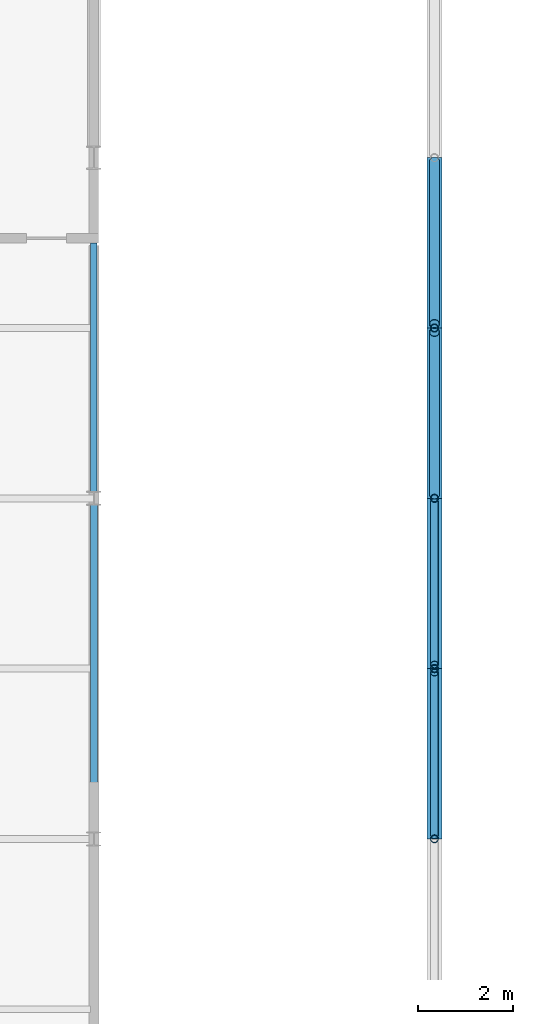
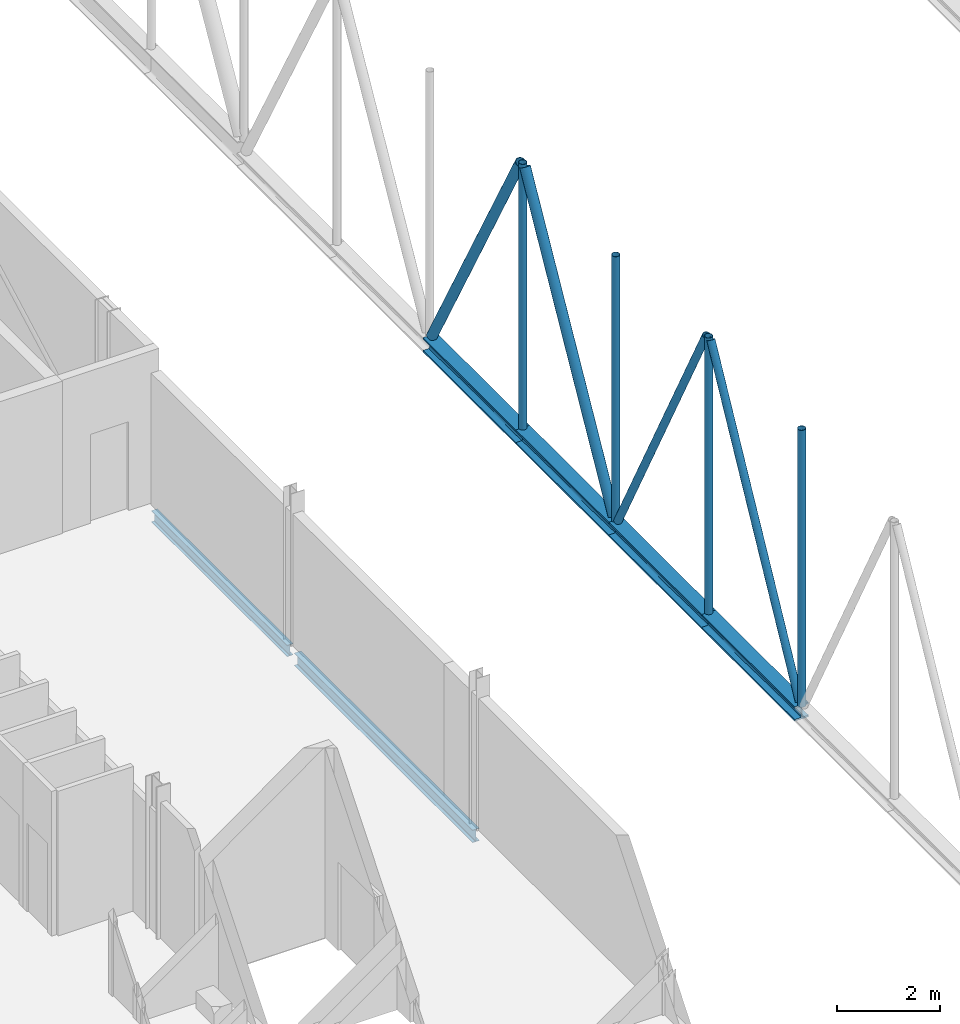
# One storey, part 39 of 142: 12 members, 2 beams.
"""IFC4 building model written with IfcOpenShell, lengths in metres."""

import ifcopenshell
import ifcopenshell.guid

model = None  # the IFC model being written
_history = None  # IfcOwnerHistory: only IFC2X3 demands one
_inside = {}  # id of a spatial element -> (the spatial element, [elements in it])
_under = {}  # id of a project, library or spatial element -> (it, [spatial elements below it])
_declared = {}  # id of a project -> (the project, [libraries it declares])
_typed = {}  # id of a type object -> (the type object, [elements of that type])
_made_of = {}  # id of a material, layer set ... -> (it, [elements and type objects made of it])


def new_model(schema):
    """Start an empty IFC model of exactly this schema.

    Asked for "IFC4X3", IfcOpenShell would pick the latest addendum, in which some entities
    have other attributes; the version numbers below select the first issue.
    IFC2X3 requires an IfcOwnerHistory on every rooted entity: one is made here for all.
    """
    global model, _history
    if schema == "IFC4X3":
        model = ifcopenshell.file(schema_version=(4, 3, 0, 0))
    else:
        model = ifcopenshell.file(schema=schema)
    _inside.clear()
    _under.clear()
    _declared.clear()
    _typed.clear()
    _made_of.clear()
    _history = None
    if model.schema == "IFC2X3":
        org = make("IfcOrganization", Name="unknown")
        user = make(
            "IfcPersonAndOrganization",
            ThePerson=make("IfcPerson", FamilyName="unknown"),
            TheOrganization=org,
        )
        app = make(
            "IfcApplication",
            ApplicationDeveloper=org,
            Version="unknown",
            ApplicationFullName="unknown",
            ApplicationIdentifier="unknown",
        )
        _history = make(
            "IfcOwnerHistory",
            OwningUser=user,
            OwningApplication=app,
            ChangeAction="ADDED",
            CreationDate=0,
        )
    return model


def make(cls, **values):
    """One entity of the class cls with the attributes given. An attribute that is None is left unset."""
    return model.create_entity(
        cls, **{name: value for name, value in values.items() if value is not None}
    )


def rooted(cls, **values):
    """An entity with a GlobalId (a new one), such as an element, a storey or a relation."""
    return make(cls, GlobalId=ifcopenshell.guid.new(), OwnerHistory=_history, **values)


def si_unit(unit_type, name, prefix=None):
    """IfcSIUnit, for example si_unit("LENGTHUNIT", "METRE", prefix="MILLI")."""
    return make("IfcSIUnit", UnitType=unit_type, Prefix=prefix, Name=name)


def assignment(units):
    """IfcUnitAssignment: the units of a project."""
    return None if units is None else make("IfcUnitAssignment", Units=units)


def point(xyz):
    """IfcCartesianPoint."""
    return None if xyz is None else make("IfcCartesianPoint", Coordinates=xyz)


def direction(xyz):
    """IfcDirection."""
    return None if xyz is None else make("IfcDirection", DirectionRatios=xyz)


def frame(location, z_axis=None, x_axis=None):
    """IfcAxis2Placement3D, a coordinate frame: its origin and axes. An axis left out is left unset."""
    return make(
        "IfcAxis2Placement3D",
        Location=point(location),
        Axis=direction(z_axis),
        RefDirection=direction(x_axis),
    )


def frame_2d(location, x_axis=None):
    """IfcAxis2Placement2D, a coordinate frame in the plane: its origin and x axis."""
    return make(
        "IfcAxis2Placement2D", Location=point(location), RefDirection=direction(x_axis)
    )


def origin():
    """The frame at (0, 0, 0) with its axes left unset."""
    return frame((0.0, 0.0, 0.0))


def origin_2d():
    """The frame at (0, 0) in the plane with its x axis left unset."""
    return frame_2d((0.0, 0.0))


def place(relative_to, where):
    """IfcLocalPlacement: puts the frame where relative to a parent placement (None: the world)."""
    return make(
        "IfcLocalPlacement", PlacementRelTo=relative_to, RelativePlacement=where
    )


def context(
    kind, dimensions, precision=None, world=None, true_north=None, identifier=None
):
    """IfcGeometricRepresentationContext, for example the 3D "Model" context."""
    return make(
        "IfcGeometricRepresentationContext",
        ContextIdentifier=identifier,
        ContextType=kind,
        CoordinateSpaceDimension=dimensions,
        Precision=precision,
        WorldCoordinateSystem=world,
        TrueNorth=true_north,
    )


def subcontext(parent, identifier, kind, view, scale=None):
    """IfcGeometricRepresentationSubContext, for example "Body" below "Model"."""
    return make(
        "IfcGeometricRepresentationSubContext",
        ContextIdentifier=identifier,
        ContextType=kind,
        ParentContext=parent,
        TargetScale=scale,
        TargetView=view,
    )


def project(units=None, contexts=None):
    """IfcProject with its units and contexts."""
    return rooted(
        "IfcProject",
        Name="project",
        RepresentationContexts=contexts,
        UnitsInContext=assignment(units),
    )


def spatial(cls, under=None, at=None, **own):
    """A site, building, storey or space (cls), placed at a placement, below another one or the project."""
    s = rooted(cls, ObjectPlacement=at, **own)
    if under is not None:
        _under.setdefault(under.id(), (under, []))[1].append(s)
    return s


def profile(cls, at=None, kind="AREA", **sizes):
    """A parametric profile (cls). Its sizes go by their IFC names, for example OverallWidth=200.0."""
    return make(cls, ProfileType=kind, Position=at, **sizes)


def hollow_circle(**sizes):
    """IfcCircleHollowProfileDef."""
    return profile("IfcCircleHollowProfileDef", **sizes)


def i_section(**sizes):
    """IfcIShapeProfileDef."""
    return profile("IfcIShapeProfileDef", **sizes)


def extrude(swept, where, along, depth):
    """IfcExtrudedAreaSolid: the profile swept, set in the frame where, extruded along a direction by depth."""
    return make(
        "IfcExtrudedAreaSolid",
        SweptArea=swept,
        Position=where,
        ExtrudedDirection=direction(along),
        Depth=depth,
    )


def shape(context_of_items, identifier, shape_type, items):
    """IfcShapeRepresentation: the items that make up one representation, for example the "Body"."""
    return make(
        "IfcShapeRepresentation",
        ContextOfItems=context_of_items,
        RepresentationIdentifier=identifier,
        RepresentationType=shape_type,
        Items=items,
    )


def material(Name=None, Category=None):
    """IfcMaterial."""
    return make("IfcMaterial", Name=Name, Category=Category)


def material_profile(
    of_material, cross_section, Name=None, Category=None, Priority=None
):
    """IfcMaterialProfile: a cross section and its material."""
    return make(
        "IfcMaterialProfile",
        Name=Name,
        Material=of_material,
        Profile=cross_section,
        Priority=Priority,
        Category=Category,
    )


def profile_set(profiles, Name=None, composite=None):
    """IfcMaterialProfileSet."""
    return make(
        "IfcMaterialProfileSet",
        Name=Name,
        MaterialProfiles=profiles,
        CompositeProfile=composite,
    )


def made_of(thing, what):
    """Note that an element or type object is made of a material, layer set ...; save() writes the relation."""
    if what is not None:
        _made_of.setdefault(what.id(), (what, []))[1].append(thing)
    return thing


def type_object(cls, material=None, **own):
    """A type object (cls), such as IfcWallType, which elements share."""
    return made_of(rooted(cls, **own), material)


def element(
    cls,
    number,
    at=None,
    inside=None,
    cuts=None,
    type_object=None,
    material=None,
    context=None,
    identifier="Body",
    shape_type=None,
    held_by="IfcProductDefinitionShape",
    body=None,
    shapes=None,
    **own,
):
    """One element of the class cls, such as IfcWall. Its Tag is "e" and its number.

    at: its placement. inside: the storey or other place that contains it. cuts: it is an
    opening in that element (IfcRelVoidsElement). A single representation is given by context,
    identifier, shape_type and body (its items); several are given by shapes. held_by: the class
    of the entity that holds the representations. save() writes the other relations.
    """
    e = rooted(cls, Tag="e%d" % number, ObjectPlacement=at, **own)
    if body is not None:
        shapes = [shape(context, identifier, shape_type, body)]
    if shapes is not None:
        e.Representation = make(held_by, Representations=shapes)
    if inside is not None:
        _inside.setdefault(inside.id(), (inside, []))[1].append(e)
    if cuts is not None:
        rooted(
            "IfcRelVoidsElement", RelatingBuildingElement=cuts, RelatedOpeningElement=e
        )
    if type_object is not None:
        _typed.setdefault(type_object.id(), (type_object, []))[1].append(e)
    return made_of(e, material)


def aggregate(whole, parts):
    """IfcRelAggregates: a whole, such as a stair, and the parts it consists of."""
    return rooted("IfcRelAggregates", RelatingObject=whole, RelatedObjects=parts)


def save(model, path):
    """Write the relations noted so far, then the file.

    IfcRelAggregates (storeys below a building ...), IfcRelContainedInSpatialStructure (elements
    in a storey), IfcRelDefinesByType, IfcRelAssociatesMaterial and IfcRelDeclares: one each for
    every whole, place, type object, material and project.
    """
    for whole, parts in _under.values():
        aggregate(whole, parts)
    for where, things in _inside.values():
        rooted(
            "IfcRelContainedInSpatialStructure",
            RelatedElements=things,
            RelatingStructure=where,
        )
    for kind, things in _typed.values():
        rooted("IfcRelDefinesByType", RelatedObjects=things, RelatingType=kind)
    for what, things in _made_of.values():
        rooted("IfcRelAssociatesMaterial", RelatedObjects=things, RelatingMaterial=what)
    for by, libraries in _declared.values():
        rooted("IfcRelDeclares", RelatingContext=by, RelatedDefinitions=libraries)
    model.write(path)


model = new_model("IFC4")

# Units and contexts
model_context = context("Model", 3, precision=1e-05, world=origin(), true_north=direction((0.0, 1.0)))
body_context = subcontext(model_context, "Body", "Model", "MODEL_VIEW")
ifc_project = project(units=[si_unit("LENGTHUNIT", "METRE"), si_unit("AREAUNIT", "SQUARE_METRE"), si_unit("VOLUMEUNIT", "CUBIC_METRE"), si_unit("PLANEANGLEUNIT", "RADIAN"), si_unit("MASSUNIT", "GRAM", prefix="KILO")], contexts=[model_context])

# Site, building, storey
site_placement = place(None, origin())
site = spatial("IfcSite", under=ifc_project, at=site_placement, CompositionType="ELEMENT")
building_placement = place(site_placement, origin())
building = spatial("IfcBuilding", under=site, at=building_placement, Name="Kupolbacken Congress Centre", CompositionType="ELEMENT")
storey_placement = place(building_placement, frame((0.0, 0.0, 14.39990234375)))
storey = spatial("IfcBuildingStorey", under=building, at=storey_placement, Name="L04", CompositionType="ELEMENT", Elevation=14.39990234375)

# Beams
ifc_material_1 = material(Name="Steel S355", Category="steel")
ifc_material_profile_1 = material_profile(ifc_material_1, i_section(OverallWidth=0.135009765625, OverallDepth=0.27001953125, WebThickness=0.006591796875, FlangeThickness=0.01025390625, FilletRadius=0.014892578125, at=origin_2d()), Name="IPE 270")
ifc_profile_set_1 = profile_set([ifc_material_profile_1], Name="Steel S355")
beam_type_1 = type_object("IfcBeamType", Name="B03 beam IPE 270", PredefinedType="BEAM", material=ifc_profile_set_1)
beam_1_placement = place(storey_placement, frame((86.39990234375, 86.544921875, -0.31494140625), z_axis=(0.0, 1.0, 0.0), x_axis=(-1.0, 0.0, 0.0)))
element("IfcBeam", 1, at=beam_1_placement, inside=storey, type_object=beam_type_1, Name="S/floor/LINK/L04/E007", PredefinedType="BEAM", context=body_context, shape_type="SweptSolid", body=[
    extrude(i_section(OverallWidth=0.135009765625, OverallDepth=0.27001953125, WebThickness=0.006591796875, FlangeThickness=0.01025390625, FilletRadius=0.014892578125, at=origin_2d()), origin(), (0.0, 0.0, 1.0), 5.255126953125),
])
ifc_material_2 = material(Name="Steel S355", Category="steel")
ifc_material_profile_2 = material_profile(ifc_material_2, i_section(OverallWidth=0.14990234375, OverallDepth=0.300048828125, WebThickness=0.007080078125, FlangeThickness=0.0107421875, FilletRadius=0.014892578125, at=origin_2d()), Name="IPE 300")
ifc_profile_set_2 = profile_set([ifc_material_profile_2], Name="Steel S355")
beam_type_2 = type_object("IfcBeamType", Name="B04 beam IPE 300", PredefinedType="BEAM", material=ifc_profile_set_2)
beam_2_placement = place(storey_placement, frame((86.39990234375, 79.344970703125, -0.329833984375), z_axis=(0.0, 1.0, 0.0), x_axis=(-1.0, 0.0, 0.0)))
element("IfcBeam", 2, at=beam_2_placement, inside=storey, type_object=beam_type_2, Name="S/floor/LINK/L04/E006", PredefinedType="BEAM", context=body_context, shape_type="SweptSolid", body=[
    extrude(i_section(OverallWidth=0.14990234375, OverallDepth=0.300048828125, WebThickness=0.007080078125, FlangeThickness=0.0107421875, FilletRadius=0.014892578125, at=origin_2d()), origin(), (0.0, 0.0, 1.0), 6.909912109375),
])

# Members
ifc_material_3 = material(Name="Steel S355", Category="steel")
ifc_material_profile_3 = material_profile(ifc_material_3, i_section(OverallWidth=0.31005859375, OverallDepth=0.340087890625, WebThickness=0.02099609375, FlangeThickness=0.0390625, FilletRadius=0.027099609375, at=origin_2d()), Name="HEM 300")
ifc_profile_set_3 = profile_set([ifc_material_profile_3], Name="Steel S355")
member_type_1 = type_object("IfcMemberType", Name="M01 transfer truss chord HEM 300", PredefinedType="CHORD", material=ifc_profile_set_3)
member_1_placement = place(storey_placement, frame((93.60009765625, 79.199951171875, 0.16015625), z_axis=(0.0, 1.0, 0.0), x_axis=(-1.0, 0.0, 0.0)))
element("IfcMember", 3, at=member_1_placement, inside=storey, type_object=member_type_1, Name="HT/T1/BC11", PredefinedType="CHORD", context=body_context, shape_type="SweptSolid", body=[
    extrude(i_section(OverallWidth=0.31005859375, OverallDepth=0.340087890625, WebThickness=0.02099609375, FlangeThickness=0.0390625, FilletRadius=0.027099609375, at=origin_2d()), origin(), (0.0, 0.0, 1.0), 3.60009765625),
])
member_2_placement = place(storey_placement, frame((93.60009765625, 82.800048828125, 0.16015625), z_axis=(0.0, 1.0, 0.0), x_axis=(-1.0, 0.0, 0.0)))
element("IfcMember", 4, at=member_2_placement, inside=storey, type_object=member_type_1, Name="HT/T1/BC12", PredefinedType="CHORD", context=body_context, shape_type="SweptSolid", body=[
    extrude(i_section(OverallWidth=0.31005859375, OverallDepth=0.340087890625, WebThickness=0.02099609375, FlangeThickness=0.0390625, FilletRadius=0.027099609375, at=origin_2d()), origin(), (0.0, 0.0, 1.0), 3.599853515625),
])
for number, where, z_axis, x_axis, name in (
    (5, (93.60009765625, 86.39990234375, 0.16015625), (0.0, 1.0, 0.0), (-1.0, 0.0, 0.0), "HT/T1/BC13"),
    (6, (93.60009765625, 90.0, 0.16015625), (0.0, 1.0, 0.0), (-1.0, 0.0, 0.0), "HT/T1/BC14"),
):
    element("IfcMember", number, at=place(storey_placement, frame(where, z_axis=z_axis, x_axis=x_axis)), inside=storey, type_object=member_type_1, Name=name, PredefinedType="CHORD", context=body_context, shape_type="SweptSolid", body=[
        extrude(i_section(OverallWidth=0.31005859375, OverallDepth=0.340087890625, WebThickness=0.02099609375, FlangeThickness=0.0390625, FilletRadius=0.027099609375, at=origin_2d()), origin(), (0.0, 0.0, 1.0), 3.60009765625),
    ])
ifc_material_4 = material(Name="Steel S355", Category="steel")
ifc_material_profile_4 = material_profile(ifc_material_4, hollow_circle(Radius=0.109619140625, WallThickness=0.010009765625, at=origin_2d()), Name="CHS 219.1 x 10")
ifc_profile_set_4 = profile_set([ifc_material_profile_4], Name="Steel S355")
member_type_2 = type_object("IfcMemberType", Name="M05 transfer truss web CHS 219.1 x 10", PredefinedType="BRACE", material=ifc_profile_set_4)
for number, where, z_axis, x_axis, name in (
    (7, (93.60009765625, 86.484130859375, 0.372802734375), (0.0, 0.48517101949, 0.874419282637), (-1.0, 0.0, 0.0), "HT/T1/D13"),
    (8, (93.60009765625, 90.084228515625, 6.5576171875), (0.0, 0.48517101949, -0.874419282637), (-1.0, 0.0, 0.0), "HT/T1/D14"),
):
    element("IfcMember", number, at=place(storey_placement, frame(where, z_axis=z_axis, x_axis=x_axis)), inside=storey, type_object=member_type_2, Name=name, PredefinedType="BRACE", context=body_context, shape_type="SweptSolid", body=[
        extrude(hollow_circle(Radius=0.109619140625, WallThickness=0.010009765625, at=origin_2d()), origin(), (0.0, 0.0, 1.0), 7.072998046875),
    ])
ifc_material_5 = material(Name="Steel S355", Category="steel")
ifc_material_profile_5 = material_profile(ifc_material_5, hollow_circle(Radius=0.084228515625, WallThickness=0.008056640625, at=origin_2d()), Name="CHS 168.3 x 8")
ifc_profile_set_5 = profile_set([ifc_material_profile_5], Name="Steel S355")
member_type_3 = type_object("IfcMemberType", Name="M06 transfer truss web CHS 168.3 x 8", PredefinedType="BRACE", material=ifc_profile_set_5)
for number, where, z_axis, x_axis, name in (
    (9, (93.60009765625, 79.2841796875, 0.359130859375), (0.0, 0.468455727838, 0.883486972771), (-1.0, 0.0, 0.0), "HT/T1/D11"),
    (10, (93.60009765625, 82.884033203125, 6.8310546875), (0.0, 0.468481741227, -0.88347317907), (-1.0, 0.0, 0.0), "HT/T1/D12"),
):
    element("IfcMember", number, at=place(storey_placement, frame(where, z_axis=z_axis, x_axis=x_axis)), inside=storey, type_object=member_type_3, Name=name, PredefinedType="BRACE", context=body_context, shape_type="SweptSolid", body=[
        extrude(hollow_circle(Radius=0.084228515625, WallThickness=0.008056640625, at=origin_2d()), origin(), (0.0, 0.0, 1.0), 7.325439453125),
    ])
ifc_material_6 = material(Name="Steel S355", Category="steel")
ifc_material_profile_6 = material_profile(ifc_material_6, hollow_circle(Radius=0.084228515625, WallThickness=0.008056640625, at=origin_2d()), Name="CHS 168.3 x 8")
ifc_profile_set_6 = profile_set([ifc_material_profile_6], Name="Steel S355")
member_type_4 = type_object("IfcMemberType", Name="M20 transfer truss post CHS 168.3 x 8", PredefinedType="STRUT", material=ifc_profile_set_6)
for number, where, z_axis, x_axis, name in (
    (11, (93.60009765625, 79.199951171875, 0.320068359375), (0.0, 0.0, 1.0), (0.0, 1.0, 0.0), "HT/T1/P10"),
    (12, (93.60009765625, 82.800048828125, 0.320068359375), (0.0, 0.0, 1.0), (0.0, 1.0, 0.0), "HT/T1/P11"),
):
    element("IfcMember", number, at=place(storey_placement, frame(where, z_axis=z_axis, x_axis=x_axis)), inside=storey, type_object=member_type_4, Name=name, PredefinedType="STRUT", context=body_context, shape_type="SweptSolid", body=[
        extrude(hollow_circle(Radius=0.084228515625, WallThickness=0.008056640625, at=origin_2d()), origin(), (0.0, 0.0, 1.0), 6.550048828125),
    ])
for number, where, z_axis, x_axis, name in (
    (13, (93.60009765625, 86.39990234375, 0.320068359375), (0.0, 0.0, 1.0), (0.0, 1.0, 0.0), "HT/T1/P12"),
    (14, (93.60009765625, 90.0, 0.320068359375), (0.0, 0.0, 1.0), (0.0, 1.0, 0.0), "HT/T1/P13"),
):
    element("IfcMember", number, at=place(storey_placement, frame(where, z_axis=z_axis, x_axis=x_axis)), inside=storey, type_object=member_type_4, Name=name, PredefinedType="STRUT", context=body_context, shape_type="SweptSolid", body=[
        extrude(hollow_circle(Radius=0.084228515625, WallThickness=0.008056640625, at=origin_2d()), origin(), (0.0, 0.0, 1.0), 6.2900390625),
    ])

save(model, "model.ifc")
